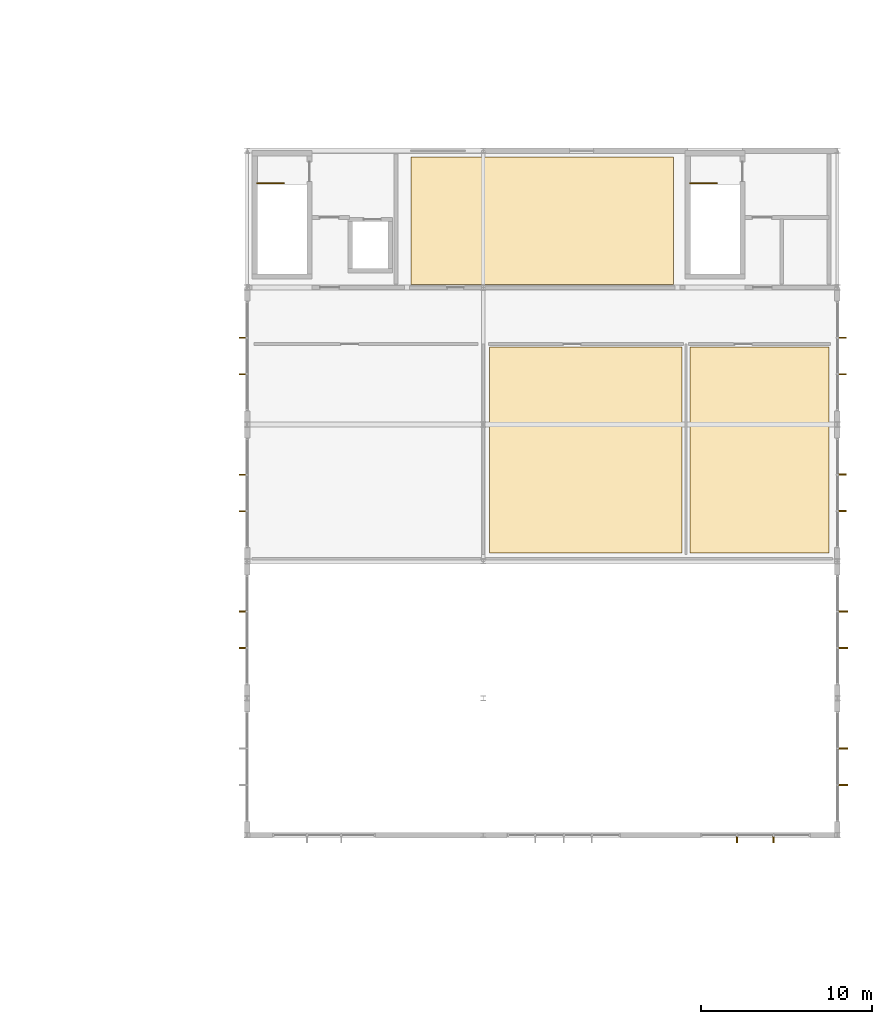
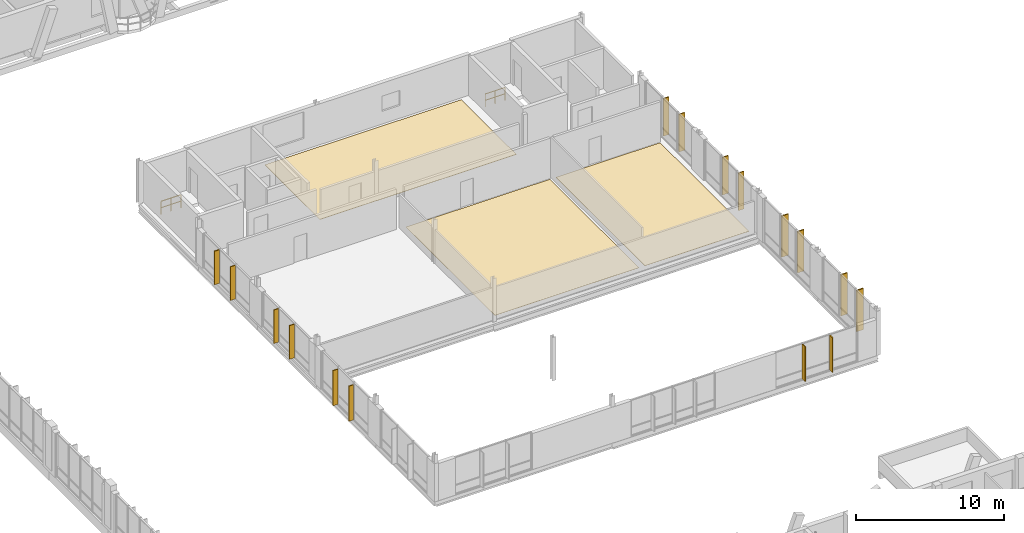
# One storey, part 187 of 189: 16 shading devices, 3 coverings, 2 railings.
"""IFC4 building model written with IfcOpenShell, lengths in metres."""

from ifc_helpers import new_model, si_unit, direction, frame, origin, origin_2d, place, context, subcontext, project, spatial, polyline, rectangle, outline, extrude, material, layer, layer_set, type_object, element, save


model = new_model("IFC4")

# Units and contexts
model_context = context("Model", 3, precision=1e-05, world=origin(), true_north=direction((0.0, 1.0)))
body_context = subcontext(model_context, "Body", "Model", "MODEL_VIEW")
ifc_project = project(units=[si_unit("LENGTHUNIT", "METRE"), si_unit("AREAUNIT", "SQUARE_METRE"), si_unit("VOLUMEUNIT", "CUBIC_METRE"), si_unit("PLANEANGLEUNIT", "RADIAN"), si_unit("MASSUNIT", "GRAM", prefix="KILO")], contexts=[model_context])

# Site, building, storey
site_placement = place(None, origin())
site = spatial("IfcSite", under=ifc_project, at=site_placement, CompositionType="ELEMENT")
building_placement = place(site_placement, origin())
building = spatial("IfcBuilding", under=site, at=building_placement, Name="Zavelmont Quarter", CompositionType="ELEMENT")
storey_placement = place(building_placement, frame((0.0, 0.0, 4.39990234375)))
storey = spatial("IfcBuildingStorey", under=building, at=storey_placement, Name="L01", CompositionType="ELEMENT", Elevation=4.39990234375)

# Coverings
ifc_material_1 = material(Name="Engineered European oak parquet")
ifc_layer_1 = layer(ifc_material_1, 0.02197265625)
ifc_layer_set_1 = layer_set([ifc_layer_1], Name="Engineered European oak parquet")
covering_type_1 = type_object("IfcCoveringType", Name="CV-FL01", PredefinedType="FLOORING", material=ifc_layer_set_1)
covering_1_placement = place(storey_placement, origin())
element("IfcCovering", 1, at=covering_1_placement, inside=storey, type_object=covering_type_1, Name="L01 Staff Lounge and Consultation floor finish", PredefinedType="FLOORING", context=body_context, shape_type="SweptSolid", body=[
    extrude(outline(polyline([(159.3798828125, 66.52001953125), (167.52001953125, 66.52001953125), (167.52001953125, 54.47998046875), (159.3798828125, 54.47998046875), (159.3798828125, 66.52001953125)])), origin(), (0.0, 0.0, 1.0), 0.022216796875),
])
ifc_material_2 = material(Name="Acoustic natural linoleum")
ifc_layer_2 = layer(ifc_material_2, 0.01806640625)
ifc_layer_set_2 = layer_set([ifc_layer_2], Name="Acoustic natural linoleum")
covering_type_2 = type_object("IfcCoveringType", Name="CV-FL03", PredefinedType="FLOORING", material=ifc_layer_set_2)
covering_2_placement = place(storey_placement, origin())
element("IfcCovering", 2, at=covering_2_placement, inside=storey, type_object=covering_type_2, Name="L01 Creative Art Playroom floor finish", PredefinedType="FLOORING", context=body_context, shape_type="SweptSolid", body=[
    extrude(outline(polyline([(147.679931640625, 66.52001953125), (158.919921875, 66.52001953125), (158.919921875, 54.47998046875), (147.679931640625, 54.47998046875), (147.679931640625, 66.52001953125)])), origin(), (0.0, 0.0, 1.0), 0.01806640625),
])
ifc_material_3 = material(Name="Slip-resistant porcelain tile")
ifc_layer_3 = layer(ifc_material_3, 0.02587890625)
ifc_layer_set_3 = layer_set([ifc_layer_3], Name="Slip-resistant porcelain tile")
covering_type_3 = type_object("IfcCoveringType", Name="CV-FL04", PredefinedType="FLOORING", material=ifc_layer_set_3)
covering_3_placement = place(storey_placement, origin())
element("IfcCovering", 3, at=covering_3_placement, inside=storey, type_object=covering_type_3, Name="L01 Staff Accessible Toilet floor finish", PredefinedType="FLOORING", context=body_context, shape_type="SweptSolid", body=[
    extrude(outline(polyline([(143.080078125, 77.6201171875), (158.419921875, 77.6201171875), (158.419921875, 70.179931640625), (147.489990234375, 70.179931640625), (147.489990234375, 70.18994140625), (147.110107421875, 70.18994140625), (147.110107421875, 70.179931640625), (143.080078125, 70.179931640625), (143.080078125, 77.6201171875)])), origin(), (0.0, 0.0, 1.0), 0.026123046875),
])

# Railings
ifc_material_4 = material(Name="Powder-coated steel stair guardrail", Category="steel")
railing_type = type_object("IfcRailingType", Name="RL-GRD1", PredefinedType="GUARDRAIL", material=ifc_material_4)
railing_1_placement = place(storey_placement, frame((134.10009765625, 76.10009765625, 0.0)))
element("IfcRailing", 4, at=railing_1_placement, inside=storey, type_object=railing_type, Name="L01 ST11 top well guardrail 1", PredefinedType="GUARDRAIL", context=body_context, shape_type="SweptSolid", body=[
    extrude(rectangle(XDim=0.048095703125, YDim=0.048095703125, at=origin_2d()), frame((0.0, 0.0, 1.076171875), z_axis=(1.0, 0.0, 0.0), x_axis=(0.0, 1.0, 0.0)), (0.0, 0.0, 1.0), 1.5498046875),
    extrude(rectangle(XDim=0.048095703125, YDim=0.048095703125, at=origin_2d()), frame((0.0, 0.0, 0.550048828125), z_axis=(1.0, 0.0, 0.0), x_axis=(0.0, 1.0, 0.0)), (0.0, 0.0, 1.0), 1.5498046875),
    extrude(rectangle(XDim=0.0419921875, YDim=0.0419921875, at=origin_2d()), origin(), (0.0, 0.0, 1.0), 1.052001953125),
    extrude(rectangle(XDim=0.0419921875, YDim=0.0419921875, at=origin_2d()), frame((0.77490234375, 0.0, 0.0)), (0.0, 0.0, 1.0), 1.052001953125),
    extrude(rectangle(XDim=0.0419921875, YDim=0.0419921875, at=origin_2d()), frame((1.5498046875, 0.0, 0.0)), (0.0, 0.0, 1.0), 1.052001953125),
])
railing_2_placement = place(storey_placement, frame((159.39990234375, 76.10009765625, 0.0)))
element("IfcRailing", 5, at=railing_2_placement, inside=storey, type_object=railing_type, Name="L01 ST12 top well guardrail 1", PredefinedType="GUARDRAIL", context=body_context, shape_type="SweptSolid", body=[
    extrude(rectangle(XDim=0.048095703125, YDim=0.048095703125, at=origin_2d()), frame((0.0, 0.0, 1.076171875), z_axis=(1.0, 0.0, 0.0), x_axis=(0.0, 1.0, 0.0)), (0.0, 0.0, 1.0), 1.550048828125),
    extrude(rectangle(XDim=0.048095703125, YDim=0.048095703125, at=origin_2d()), frame((0.0, 0.0, 0.550048828125), z_axis=(1.0, 0.0, 0.0), x_axis=(0.0, 1.0, 0.0)), (0.0, 0.0, 1.0), 1.550048828125),
    extrude(rectangle(XDim=0.0419921875, YDim=0.0419921875, at=origin_2d()), origin(), (0.0, 0.0, 1.0), 1.052001953125),
    extrude(rectangle(XDim=0.0419921875, YDim=0.0419921875, at=origin_2d()), frame((0.77490234375, 0.0, 0.0)), (0.0, 0.0, 1.0), 1.052001953125),
    extrude(rectangle(XDim=0.0419921875, YDim=0.0419921875, at=origin_2d()), frame((1.550048828125, 0.0, 0.0)), (0.0, 0.0, 1.0), 1.052001953125),
])

# Shading devices
ifc_material_5 = material(Name="Anodised aluminium EN AW-6063-T6", Category="aluminium")
shading_device_type_1 = type_object("IfcShadingDeviceType", Name="SD02", PredefinedType="JALOUSIE", material=ifc_material_5)
for number, where, z_axis, x_axis, name in (
    (6, (168.294921875, 56.933349609375, 0.050048828125), (0.0, 0.0, 1.0), (0.0, 1.0, 0.0), "L01 solar brise-soleil fin SD02"),
    (7, (168.294921875, 59.066650390625, 0.050048828125), (0.0, 0.0, 1.0), (0.0, 1.0, 0.0), "L01 solar brise-soleil fin SD02"),
    (8, (168.294921875, 64.933349609375, 0.050048828125), (0.0, 0.0, 1.0), (0.0, 1.0, 0.0), "L01 solar brise-soleil fin SD02"),
    (9, (168.294921875, 67.066650390625, 0.050048828125), (0.0, 0.0, 1.0), (0.0, 1.0, 0.0), "L01 solar brise-soleil fin SD02"),
):
    element("IfcShadingDevice", number, at=place(storey_placement, frame(where, z_axis=z_axis, x_axis=x_axis)), inside=storey, type_object=shading_device_type_1, Name=name, PredefinedType="JALOUSIE", context=body_context, shape_type="SweptSolid", body=[
        extrude(rectangle(XDim=0.080078125, YDim=0.449951171875, at=origin_2d()), origin(), (0.0, 0.0, 1.0), 3.10009765625),
    ])
shading_device_type_2 = type_object("IfcShadingDeviceType", Name="SD04", PredefinedType="JALOUSIE", material=ifc_material_5)
for number, where, z_axis, x_axis, name in (
    (10, (168.330078125, 40.933349609375, -0.229736328125), (0.0, 0.0, 1.0), (0.0, 1.0, 0.0), "L01 solar brise-soleil fin SD04"),
    (11, (168.330078125, 43.066650390625, -0.229736328125), (0.0, 0.0, 1.0), (0.0, 1.0, 0.0), "L01 solar brise-soleil fin SD04"),
    (12, (168.330078125, 48.933349609375, -0.229736328125), (0.0, 0.0, 1.0), (0.0, 1.0, 0.0), "L01 solar brise-soleil fin SD04"),
    (13, (168.330078125, 51.066650390625, -0.229736328125), (0.0, 0.0, 1.0), (0.0, 1.0, 0.0), "L01 solar brise-soleil fin SD04"),
):
    element("IfcShadingDevice", number, at=place(storey_placement, frame(where, z_axis=z_axis, x_axis=x_axis)), inside=storey, type_object=shading_device_type_2, Name=name, PredefinedType="JALOUSIE", context=body_context, shape_type="SweptSolid", body=[
        extrude(rectangle(XDim=0.090087890625, YDim=0.52001953125, at=origin_2d()), origin(), (0.0, 0.0, 1.0), 3.39990234375),
    ])
shading_device_type_3 = type_object("IfcShadingDeviceType", Name="SD05", PredefinedType="JALOUSIE", material=ifc_material_5)
for number, where, z_axis, x_axis, name in (
    (14, (133.239990234375, 48.933349609375, -0.229736328125), (0.0, 0.0, 1.0), (0.0, 1.0, 0.0), "L01 solar brise-soleil fin SD05"),
    (15, (133.239990234375, 51.066650390625, -0.229736328125), (0.0, 0.0, 1.0), (0.0, 1.0, 0.0), "L01 solar brise-soleil fin SD05"),
):
    element("IfcShadingDevice", number, at=place(storey_placement, frame(where, z_axis=z_axis, x_axis=x_axis)), inside=storey, type_object=shading_device_type_3, Name=name, PredefinedType="JALOUSIE", context=body_context, shape_type="SweptSolid", body=[
        extrude(rectangle(XDim=0.070068359375, YDim=0.3798828125, at=origin_2d()), origin(), (0.0, 0.0, 1.0), 2.89990234375),
    ])
for number, where, z_axis, x_axis, name in (
    (16, (133.239990234375, 56.933349609375, 0.050048828125), (0.0, 0.0, 1.0), (0.0, 1.0, 0.0), "L01 solar brise-soleil fin SD05"),
    (17, (133.239990234375, 59.066650390625, 0.050048828125), (0.0, 0.0, 1.0), (0.0, 1.0, 0.0), "L01 solar brise-soleil fin SD05"),
    (18, (133.239990234375, 64.933349609375, 0.050048828125), (0.0, 0.0, 1.0), (0.0, 1.0, 0.0), "L01 solar brise-soleil fin SD05"),
    (19, (133.239990234375, 67.066650390625, 0.050048828125), (0.0, 0.0, 1.0), (0.0, 1.0, 0.0), "L01 solar brise-soleil fin SD05"),
):
    element("IfcShadingDevice", number, at=place(storey_placement, frame(where, z_axis=z_axis, x_axis=x_axis)), inside=storey, type_object=shading_device_type_3, Name=name, PredefinedType="JALOUSIE", context=body_context, shape_type="SweptSolid", body=[
        extrude(rectangle(XDim=0.070068359375, YDim=0.3798828125, at=origin_2d()), origin(), (0.0, 0.0, 1.0), 2.77001953125),
    ])
for number, where, z_axis, x_axis, name in (
    (20, (162.13330078125, 37.739990234375, -0.22998046875), (0.0, 0.0, 1.0), (1.0, 0.0, 0.0), "L01 solar brise-soleil fin SD05"),
    (21, (164.2666015625, 37.739990234375, -0.22998046875), (0.0, 0.0, 1.0), (1.0, 0.0, 0.0), "L01 solar brise-soleil fin SD05"),
):
    element("IfcShadingDevice", number, at=place(storey_placement, frame(where, z_axis=z_axis, x_axis=x_axis)), inside=storey, type_object=shading_device_type_3, Name=name, PredefinedType="JALOUSIE", context=body_context, shape_type="SweptSolid", body=[
        extrude(rectangle(XDim=0.070068359375, YDim=0.3798828125, at=origin_2d()), origin(), (0.0, 0.0, 1.0), 2.8701171875),
    ])

save(model, "model.ifc")
